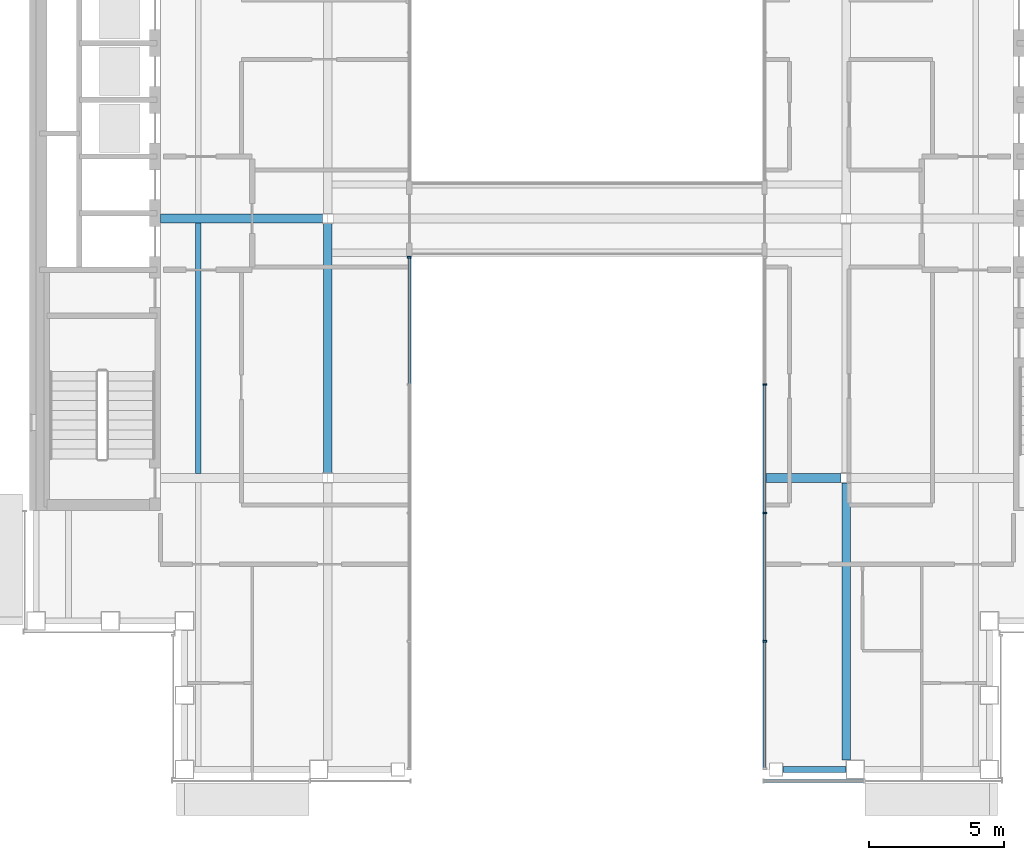
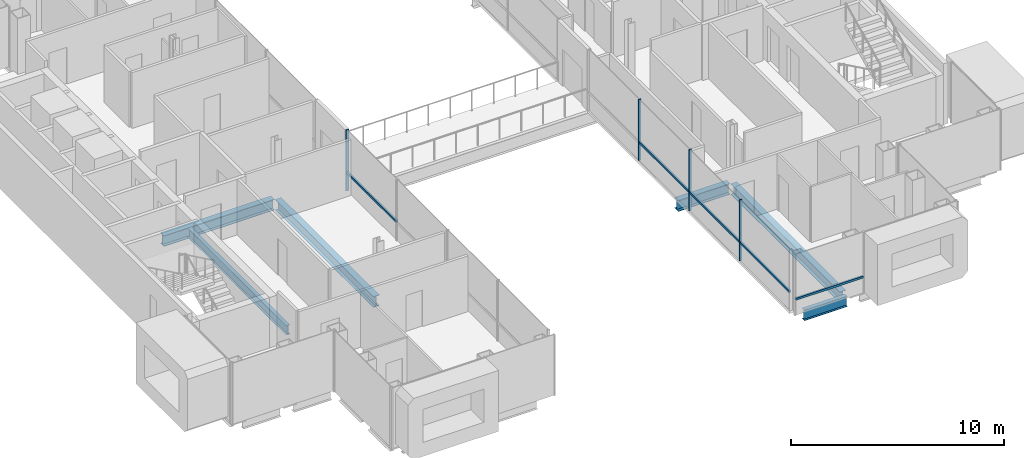
# One storey, part 4 of 17: 9 members, 6 beams, 3 elements without a shape of their own.
"""IFC4 building model written with IfcOpenShell, lengths in metres."""

from ifc_helpers import new_model, si_unit, direction, frame, origin, origin_2d, place, context, subcontext, project, spatial, rectangle, i_section, extrude, material, material_profile, profile_set, type_object, element, aggregate, save


model = new_model("IFC4")

# Units and contexts
model_context = context("Model", 3, precision=1e-05, world=origin(), true_north=direction((0.0, 1.0)))
body_context = subcontext(model_context, "Body", "Model", "MODEL_VIEW")
ifc_project = project(units=[si_unit("LENGTHUNIT", "METRE"), si_unit("AREAUNIT", "SQUARE_METRE"), si_unit("VOLUMEUNIT", "CUBIC_METRE"), si_unit("PLANEANGLEUNIT", "RADIAN"), si_unit("MASSUNIT", "GRAM", prefix="KILO")], contexts=[model_context])

# Site, building, storey
site_placement = place(None, origin())
site = spatial("IfcSite", under=ifc_project, at=site_placement, CompositionType="ELEMENT")
building_placement = place(site_placement, origin())
building = spatial("IfcBuilding", under=site, at=building_placement, Name="Cobrizo Arcos Hotel Tower", CompositionType="ELEMENT")
storey_placement = place(building_placement, frame((0.0, 0.0, 233.0)))
storey = spatial("IfcBuildingStorey", under=building, at=storey_placement, Name="L61", CompositionType="ELEMENT", Elevation=233.0)

# Curtain wall, member
ifc_material_1 = material(Name="Aluminium 6063-T6 anodised bronze", Category="aluminium")
curtain_wall_type_1 = type_object("IfcCurtainWallType", Name="CW-A guest facade", PredefinedType="NOTDEFINED", material=ifc_material_1)
curtain_wall_1_placement = place(storey_placement, origin())
curtain_wall_1 = element("IfcCurtainWall", 1, at=curtain_wall_1_placement, inside=storey, type_object=curtain_wall_type_1, Name="CW-A L61 S face", PredefinedType="NOTDEFINED")
ifc_material_profile_1 = material_profile(ifc_material_1, rectangle(XDim=0.10009765625, YDim=0.1201171875, at=origin_2d()), Name="CW-A transom 120x100")
ifc_profile_set_1 = profile_set([ifc_material_profile_1], Name="Aluminium 6063-T6 anodised bronze")
member_type_1 = type_object("IfcMemberType", Name="CW-A transom 120x100", PredefinedType="USERDEFINED", material=ifc_profile_set_1)
member_1_placement = place(storey_placement, frame((6.56005859375, -20.824951171875, 0.929931640625), z_axis=(1.0, 0.0, 0.0), x_axis=(0.0, 1.0, 0.0)))
member_1 = element("IfcMember", 2, at=member_1_placement, type_object=member_type_1, Name="CW-A transom 1970", ObjectType="TRANSOM", PredefinedType="USERDEFINED", context=body_context, shape_type="SweptSolid", body=[
    extrude(rectangle(XDim=0.10009765625, YDim=0.1201171875, at=origin_2d()), origin(), (0.0, 0.0, 1.0), 3.676513671875),
])
aggregate(curtain_wall_1, [member_1])

# Curtain wall, members
curtain_wall_type_2 = type_object("IfcCurtainWallType", Name="CW-F void screen", PredefinedType="NOTDEFINED", material=ifc_material_1)
curtain_wall_2_placement = place(storey_placement, origin())
curtain_wall_2 = element("IfcCurtainWall", 3, at=curtain_wall_2_placement, inside=storey, type_object=curtain_wall_type_2, Name="CW-F L61 void screen C", PredefinedType="NOTDEFINED")
ifc_material_profile_2 = material_profile(ifc_material_1, rectangle(XDim=0.14990234375, YDim=0.06005859375, at=origin_2d()), Name="CW-F mullion 150x60")
ifc_profile_set_2 = profile_set([ifc_material_profile_2], Name="Aluminium 6063-T6 anodised bronze")
member_type_2 = type_object("IfcMemberType", Name="CW-F mullion 150x60", PredefinedType="MULLION", material=ifc_profile_set_2)
member_2_placement = place(storey_placement, frame((6.574951171875, -15.64990234375, 0.0), z_axis=(0.0, 0.0, 1.0), x_axis=(1.0, 0.0, 0.0)))
member_2 = element("IfcMember", 4, at=member_2_placement, type_object=member_type_2, Name="CW-F mullion 2", PredefinedType="MULLION", context=body_context, shape_type="SweptSolid", body=[
    extrude(rectangle(XDim=0.14990234375, YDim=0.06005859375, at=origin_2d()), origin(), (0.0, 0.0, 1.0), 3.5),
])
member_3_placement = place(storey_placement, frame((6.574951171875, -10.89990234375, 0.0), z_axis=(0.0, 0.0, 1.0), x_axis=(1.0, 0.0, 0.0)))
member_3 = element("IfcMember", 5, at=member_3_placement, type_object=member_type_2, Name="CW-F mullion 3", PredefinedType="MULLION", context=body_context, shape_type="SweptSolid", body=[
    extrude(rectangle(XDim=0.14990234375, YDim=0.06005859375, at=origin_2d()), origin(), (0.0, 0.0, 1.0), 3.5),
])
member_4_placement = place(storey_placement, frame((6.574951171875, -6.14990234375, 0.0), z_axis=(0.0, 0.0, 1.0), x_axis=(1.0, 0.0, 0.0)))
member_4 = element("IfcMember", 6, at=member_4_placement, type_object=member_type_2, Name="CW-F mullion 4", PredefinedType="MULLION", context=body_context, shape_type="SweptSolid", body=[
    extrude(rectangle(XDim=0.14990234375, YDim=0.06005859375, at=origin_2d()), origin(), (0.0, 0.0, 1.0), 3.5),
])

# Curtain wall, member
curtain_wall_3_placement = place(storey_placement, origin())
curtain_wall_3 = element("IfcCurtainWall", 7, at=curtain_wall_3_placement, inside=storey, type_object=curtain_wall_type_2, Name="CW-F L61 void screen C", PredefinedType="NOTDEFINED")
member_5_placement = place(storey_placement, frame((-6.574951171875, -1.429931640625, 0.0), z_axis=(0.0, 0.0, 1.0), x_axis=(-1.0, 0.0, 0.0)))
member_5 = element("IfcMember", 8, at=member_5_placement, type_object=member_type_2, Name="CW-F mullion 1", PredefinedType="MULLION", context=body_context, shape_type="SweptSolid", body=[
    extrude(rectangle(XDim=0.14990234375, YDim=0.06005859375, at=origin_2d()), origin(), (0.0, 0.0, 1.0), 3.5),
])

# Member
ifc_material_profile_3 = material_profile(ifc_material_1, rectangle(XDim=0.10009765625, YDim=0.1201171875, at=origin_2d()), Name="CW-F transom 120x100")
ifc_profile_set_3 = profile_set([ifc_material_profile_3], Name="Aluminium 6063-T6 anodised bronze")
member_type_3 = type_object("IfcMemberType", Name="CW-F transom 120x100", PredefinedType="USERDEFINED", material=ifc_profile_set_3)
member_6_placement = place(storey_placement, frame((6.574951171875, -20.340087890625, 1.050048828125), z_axis=(0.0, 1.0, 0.0), x_axis=(-1.0, 0.0, 0.0)))
member_6 = element("IfcMember", 9, at=member_6_placement, type_object=member_type_3, Name="CW-F transom 2748", ObjectType="TRANSOM", PredefinedType="USERDEFINED", context=body_context, shape_type="SweptSolid", body=[
    extrude(rectangle(XDim=0.10009765625, YDim=0.1201171875, at=origin_2d()), origin(), (0.0, 0.0, 1.0), 4.66015625),
])

member_7_placement = place(storey_placement, frame((6.574951171875, -15.6201171875, 1.050048828125), z_axis=(0.0, 1.0, 0.0), x_axis=(-1.0, 0.0, 0.0)))
member_7 = element("IfcMember", 10, at=member_7_placement, type_object=member_type_3, Name="CW-F transom 2749", ObjectType="TRANSOM", PredefinedType="USERDEFINED", context=body_context, shape_type="SweptSolid", body=[
    extrude(rectangle(XDim=0.10009765625, YDim=0.1201171875, at=origin_2d()), origin(), (0.0, 0.0, 1.0), 4.690185546875),
])

member_8_placement = place(storey_placement, frame((6.574951171875, -10.8701171875, 1.050048828125), z_axis=(0.0, 1.0, 0.0), x_axis=(-1.0, 0.0, 0.0)))
member_8 = element("IfcMember", 11, at=member_8_placement, type_object=member_type_3, Name="CW-F transom 2750", ObjectType="TRANSOM", PredefinedType="USERDEFINED", context=body_context, shape_type="SweptSolid", body=[
    extrude(rectangle(XDim=0.10009765625, YDim=0.1201171875, at=origin_2d()), origin(), (0.0, 0.0, 1.0), 4.690185546875),
])

aggregate(curtain_wall_2, [member_2, member_3, member_4, member_6, member_7, member_8])

member_9_placement = place(storey_placement, frame((-6.574951171875, -1.4599609375, 1.050048828125), z_axis=(0.0, -1.0, 0.0), x_axis=(1.0, 0.0, 0.0)))
member_9 = element("IfcMember", 12, at=member_9_placement, type_object=member_type_3, Name="CW-F transom 2760", ObjectType="TRANSOM", PredefinedType="USERDEFINED", context=body_context, shape_type="SweptSolid", body=[
    extrude(rectangle(XDim=0.10009765625, YDim=0.1201171875, at=origin_2d()), origin(), (0.0, 0.0, 1.0), 4.66015625),
])

aggregate(curtain_wall_3, [member_5, member_9])

# Beams
ifc_material_2 = material(Name="Steel ASTM A992 Grade 50", Category="steel")
ifc_material_profile_4 = material_profile(ifc_material_2, i_section(OverallWidth=0.209228515625, OverallDepth=0.533447265625, WebThickness=0.01025390625, FlangeThickness=0.015625, at=origin_2d()), Name="W21X62")
ifc_profile_set_4 = profile_set([ifc_material_profile_4], Name="Steel ASTM A992 Grade 50")
beam_type_1 = type_object("IfcBeamType", Name="W21X62 joist", PredefinedType="JOIST", material=ifc_profile_set_4)
beam_1_placement = place(storey_placement, frame((-14.39990234375, -9.43603515625, -0.416748046875), z_axis=(0.0, 1.0, 0.0), x_axis=(-1.0, 0.0, 0.0)))
element("IfcBeam", 13, at=beam_1_placement, inside=storey, type_object=beam_type_1, Name="Floor joist J1, L61, no. 004", PredefinedType="JOIST", context=body_context, shape_type="SweptSolid", body=[
    extrude(i_section(OverallWidth=0.209228515625, OverallDepth=0.533447265625, WebThickness=0.01025390625, FlangeThickness=0.015625, at=origin_2d()), origin(), (0.0, 0.0, 1.0), 9.272216796875),
])
ifc_material_profile_5 = material_profile(ifc_material_2, i_section(OverallWidth=0.32763671875, OverallDepth=0.622314453125, WebThickness=0.015380859375, FlangeThickness=0.0244140625, at=origin_2d()), Name="W24X131")
ifc_profile_set_5 = profile_set([ifc_material_profile_5], Name="Steel ASTM A992 Grade 50")
beam_type_2 = type_object("IfcBeamType", Name="W24X131 girder", PredefinedType="BEAM", material=ifc_profile_set_5)
beam_2_placement = place(storey_placement, frame((6.590087890625, -9.60009765625, -0.461181640625), z_axis=(1.0, 0.0, 0.0), x_axis=(0.0, 1.0, 0.0)))
element("IfcBeam", 14, at=beam_2_placement, inside=storey, type_object=beam_type_2, Name="Floor girder G1, L61, no. 003", PredefinedType="BEAM", context=body_context, shape_type="SweptSolid", body=[
    extrude(i_section(OverallWidth=0.32763671875, OverallDepth=0.622314453125, WebThickness=0.015380859375, FlangeThickness=0.0244140625, at=origin_2d()), origin(), (0.0, 0.0, 1.0), 2.8232421875),
])
beam_3_placement = place(storey_placement, frame((-15.7900390625, 0.0, -0.461181640625), z_axis=(1.0, 0.0, 0.0), x_axis=(0.0, 1.0, 0.0)))
element("IfcBeam", 15, at=beam_3_placement, inside=storey, type_object=beam_type_2, Name="Floor girder G1, L61, no. 005", PredefinedType="BEAM", context=body_context, shape_type="SweptSolid", body=[
    extrude(i_section(OverallWidth=0.32763671875, OverallDepth=0.622314453125, WebThickness=0.015380859375, FlangeThickness=0.0244140625, at=origin_2d()), origin(), (0.0, 0.0, 1.0), 6.00341796875),
])
beam_4_placement = place(storey_placement, frame((-9.60009765625, -9.413330078125, -0.461181640625), z_axis=(0.0, 1.0, 0.0), x_axis=(-1.0, 0.0, 0.0)))
element("IfcBeam", 16, at=beam_4_placement, inside=storey, type_object=beam_type_2, Name="Floor girder G1, L61, no. 013", PredefinedType="BEAM", context=body_context, shape_type="SweptSolid", body=[
    extrude(i_section(OverallWidth=0.32763671875, OverallDepth=0.622314453125, WebThickness=0.015380859375, FlangeThickness=0.0244140625, at=origin_2d()), origin(), (0.0, 0.0, 1.0), 9.2265625),
])
beam_5_placement = place(storey_placement, frame((9.60009765625, -20.050048828125, -0.461181640625), z_axis=(0.0, 1.0, 0.0), x_axis=(-1.0, 0.0, 0.0)))
element("IfcBeam", 17, at=beam_5_placement, inside=storey, type_object=beam_type_2, Name="Floor girder G1, L61, no. 016", PredefinedType="BEAM", context=body_context, shape_type="SweptSolid", body=[
    extrude(i_section(OverallWidth=0.32763671875, OverallDepth=0.622314453125, WebThickness=0.015380859375, FlangeThickness=0.0244140625, at=origin_2d()), origin(), (0.0, 0.0, 1.0), 10.263427734375),
])
ifc_material_profile_6 = material_profile(ifc_material_2, i_section(OverallWidth=0.228271484375, OverallDepth=0.607177734375, WebThickness=0.01123046875, FlangeThickness=0.017333984375, at=origin_2d()), Name="W24X76")
ifc_profile_set_6 = profile_set([ifc_material_profile_6], Name="Steel ASTM A992 Grade 50")
beam_type_3 = type_object("IfcBeamType", Name="W24X76 spandrel", PredefinedType="SPANDREL", material=ifc_profile_set_6)
beam_6_placement = place(storey_placement, frame((9.5830078125, -20.39990234375, -0.45361328125), z_axis=(-1.0, 0.0, 0.0), x_axis=(0.0, -1.0, 0.0)))
element("IfcBeam", 18, at=beam_6_placement, inside=storey, type_object=beam_type_3, Name="Spandrel beam W24X76, L61, no. 010", PredefinedType="SPANDREL", context=body_context, shape_type="SweptSolid", body=[
    extrude(i_section(OverallWidth=0.228271484375, OverallDepth=0.607177734375, WebThickness=0.01123046875, FlangeThickness=0.017333984375, at=origin_2d()), origin(), (0.0, 0.0, 1.0), 2.3330078125),
])

save(model, "model.ifc")
